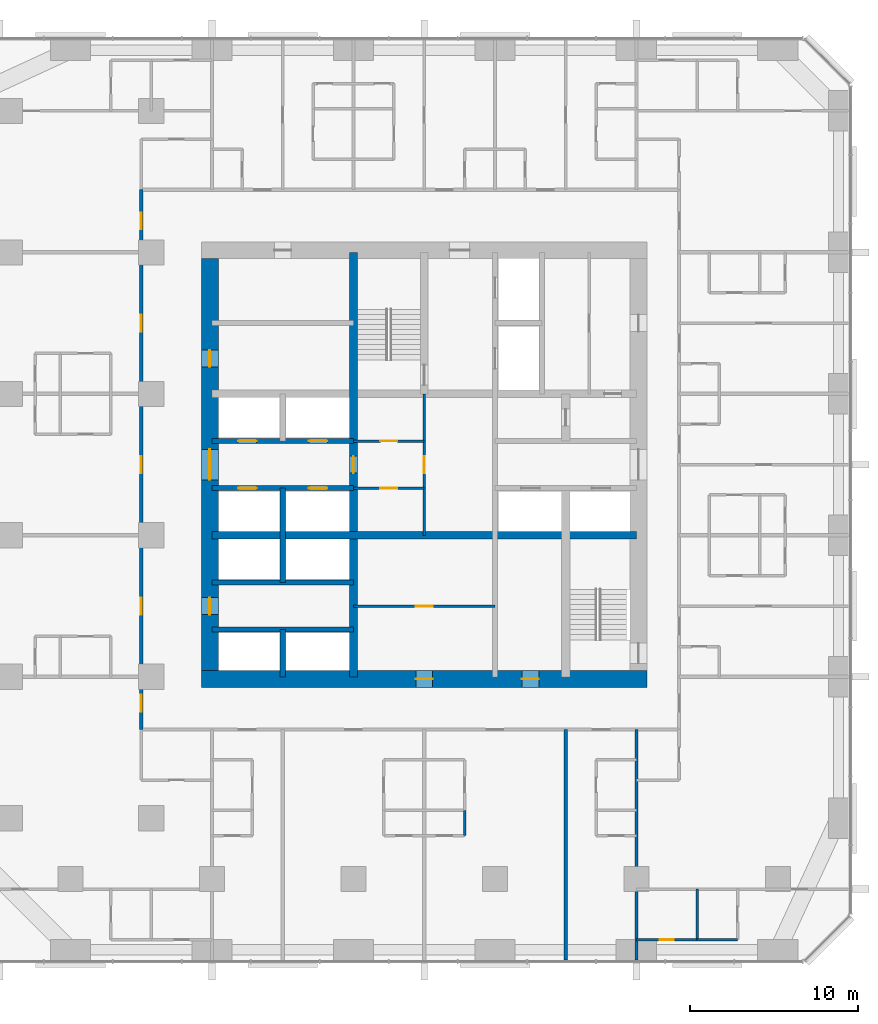
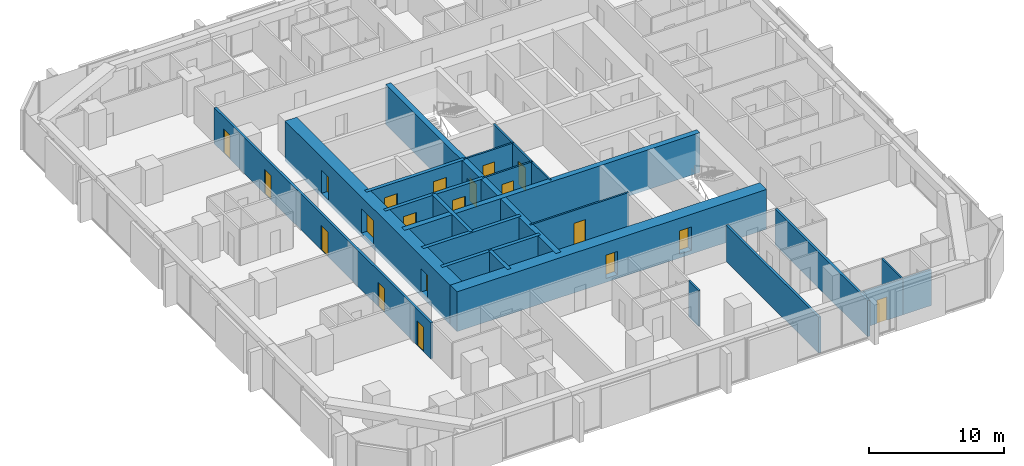
# One storey, part 9 of 14: 21 walls, 20 doors, 20 openings.
"""IFC4 building model written with IfcOpenShell, lengths in metres."""

from ifc_helpers import new_model, si_unit, direction, frame, frame_2d, origin, place, context, subcontext, project, spatial, rectangle, extrude, material, layer, layer_set, type_object, element, fill, save


model = new_model("IFC4")

# Units and contexts
model_context = context("Model", 3, precision=1e-05, world=origin(), true_north=direction((0.0, 1.0)))
body_context = subcontext(model_context, "Body", "Model", "MODEL_VIEW")
ifc_project = project(units=[si_unit("LENGTHUNIT", "METRE"), si_unit("AREAUNIT", "SQUARE_METRE"), si_unit("VOLUMEUNIT", "CUBIC_METRE"), si_unit("PLANEANGLEUNIT", "RADIAN"), si_unit("MASSUNIT", "GRAM", prefix="KILO")], contexts=[model_context])

# Site, building, storey
site_placement = place(None, origin())
site = spatial("IfcSite", under=ifc_project, at=site_placement, CompositionType="ELEMENT")
building_placement = place(site_placement, origin())
building = spatial("IfcBuilding", under=site, at=building_placement, Name="Dunama Terrace Hotel", CompositionType="ELEMENT")
storey_placement = place(building_placement, frame((0.0, 0.0, 126.0)))
storey = spatial("IfcBuildingStorey", under=building, at=storey_placement, Name="L32", CompositionType="ELEMENT", Elevation=126.0)

# Wall, opening, door
ifc_material_1 = material(Name="Gypsum board partition", Category="masonry")
ifc_layer_1 = layer(ifc_material_1, 0.14990234375)
ifc_layer_set_1 = layer_set([ifc_layer_1], Name="Bathroom partition 150")
wall_type_1 = type_object("IfcWallType", Name="Bathroom partition 150", PredefinedType="PARTITIONING", material=ifc_layer_set_1)
wall_1_placement = place(storey_placement, frame((42.0, 1.199951171875, 0.0), z_axis=(0.0, 0.0, 1.0), x_axis=(1.0, 0.0, 0.0)))
wall_1 = element("IfcWall", 1, at=wall_1_placement, inside=storey, type_object=wall_type_1, Name="Bathroom partition 150 L32", PredefinedType="PARTITIONING", context=body_context, shape_type="SweptSolid", body=[
    extrude(rectangle(XDim=3.60009765625, YDim=0.14990234375, at=frame_2d((1.800048828125, 0.0))), origin(), (0.0, 0.0, 1.0), 3.25),
])
opening_1_placement = place(wall_1_placement, frame((1.375, 0.0, 0.0)))
opening_1 = element("IfcOpeningElement", 2, at=opening_1_placement, cuts=wall_1, Name="Opening L31-33-070", PredefinedType="OPENING", context=body_context, shape_type="SweptSolid", body=[
    extrude(rectangle(XDim=0.85009765625, YDim=2.10009765625, at=frame_2d((0.425048828125, 1.050048828125))), frame((0.0, 0.0849609375, 0.0), z_axis=(0.0, -1.0, 0.0), x_axis=(1.0, 0.0, 0.0)), (0.0, 0.0, 1.0), 0.169921875),
])
ifc_material_2 = material(Name="Timber door with steel frame", Category="steel")
door_type_1 = type_object("IfcDoorType", Name="Bathroom door 850", OperationType="SINGLE_SWING_LEFT", PredefinedType="DOOR", material=ifc_material_2)
door_1_placement = place(opening_1_placement, origin())
door_1 = element("IfcDoor", 3, at=door_1_placement, inside=storey, type_object=door_type_1, Name="Door to en-suite bathroom L31-33-070, type D2", OperationType="SINGLE_SWING_LEFT", OverallHeight=2.10009765625, OverallWidth=0.85009765625, PredefinedType="DOOR", context=body_context, shape_type="SweptSolid", body=[
    extrude(rectangle(XDim=0.85009765625, YDim=2.10009765625, at=frame_2d((0.425048828125, 1.050048828125))), frame((0.0, 0.02490234375, 0.0), z_axis=(0.0, -1.0, 0.0), x_axis=(1.0, 0.0, 0.0)), (0.0, 0.0, 1.0), 0.050048828125),
])
fill(opening_1, door_1)

# Walls
ifc_material_3 = material(Name="Concrete C50/60", Category="concrete")
ifc_layer_2 = layer(ifc_material_3, 0.300048828125)
ifc_layer_set_2 = layer_set([ifc_layer_2], Name="Core inner wall 300")
wall_type_2 = type_object("IfcWallType", Name="Core inner wall 300", PredefinedType="SHEAR", material=ifc_layer_set_2)
wall_2_placement = place(storey_placement, frame((21.0, 16.800048828125, -0.35009765625), z_axis=(0.0, 0.0, 1.0), x_axis=(0.0, 1.0, 0.0)))
element("IfcWall", 4, at=wall_2_placement, inside=storey, type_object=wall_type_2, Name="Core inner wall 300 L32", PredefinedType="SHEAR", context=body_context, shape_type="SweptSolid", body=[
    extrude(rectangle(XDim=2.800048828125, YDim=0.300048828125, at=frame_2d((1.39990234375, 0.0))), origin(), (0.0, 0.0, 1.0), 3.60009765625),
])
wall_3_placement = place(storey_placement, frame((21.0, 22.39990234375, -0.35009765625), z_axis=(0.0, 0.0, 1.0), x_axis=(0.0, 1.0, 0.0)))
element("IfcWall", 5, at=wall_3_placement, inside=storey, type_object=wall_type_2, Name="Core inner wall 300 L32", PredefinedType="SHEAR", context=body_context, shape_type="SweptSolid", body=[
    extrude(rectangle(XDim=5.60009765625, YDim=0.300048828125, at=frame_2d((2.800048828125, 0.0))), origin(), (0.0, 0.0, 1.0), 3.60009765625),
])
for number, where, z_axis, x_axis, name in (
    (6, (16.800048828125, 19.60009765625, -0.35009765625), (0.0, 0.0, 1.0), (1.0, 0.0, 0.0), "Core inner wall 300 L32"),
    (7, (16.800048828125, 22.39990234375, -0.35009765625), (0.0, 0.0, 1.0), (1.0, 0.0, 0.0), "Core inner wall 300 L32"),
):
    element("IfcWall", number, at=place(storey_placement, frame(where, z_axis=z_axis, x_axis=x_axis)), inside=storey, type_object=wall_type_2, Name=name, PredefinedType="SHEAR", context=body_context, shape_type="SweptSolid", body=[
        extrude(rectangle(XDim=8.39990234375, YDim=0.300048828125, at=frame_2d((4.199951171875, 0.0))), origin(), (0.0, 0.0, 1.0), 3.60009765625),
    ])

# Wall, openings, doors
wall_4_placement = place(storey_placement, frame((16.800048828125, 28.0, -0.35009765625), z_axis=(0.0, 0.0, 1.0), x_axis=(1.0, 0.0, 0.0)))
wall_4 = element("IfcWall", 8, at=wall_4_placement, inside=storey, type_object=wall_type_2, Name="Core inner wall 300 L32", PredefinedType="SHEAR", context=body_context, shape_type="SweptSolid", body=[
    extrude(rectangle(XDim=8.39990234375, YDim=0.300048828125, at=frame_2d((4.199951171875, 0.0))), origin(), (0.0, 0.0, 1.0), 3.60009765625),
])
opening_2_placement = place(wall_4_placement, frame((1.550048828125, 0.0, 0.35009765625)))
opening_2 = element("IfcOpeningElement", 9, at=opening_2_placement, cuts=wall_4, Name="Opening L31-33-005", PredefinedType="OPENING", context=body_context, shape_type="SweptSolid", body=[
    extrude(rectangle(XDim=1.10009765625, YDim=2.199951171875, at=frame_2d((0.550048828125, 1.10009765625))), frame((0.0, 0.159912109375, 0.0), z_axis=(0.0, -1.0, 0.0), x_axis=(1.0, 0.0, 0.0)), (0.0, 0.0, 1.0), 0.320068359375),
])
opening_3_placement = place(wall_4_placement, frame((5.75, 0.0, 0.35009765625)))
opening_3 = element("IfcOpeningElement", 10, at=opening_3_placement, cuts=wall_4, Name="Opening L31-33-006", PredefinedType="OPENING", context=body_context, shape_type="SweptSolid", body=[
    extrude(rectangle(XDim=1.10009765625, YDim=2.199951171875, at=frame_2d((0.550048828125, 1.10009765625))), frame((0.0, 0.159912109375, 0.0), z_axis=(0.0, -1.0, 0.0), x_axis=(1.0, 0.0, 0.0)), (0.0, 0.0, 1.0), 0.320068359375),
])
ifc_material_4 = material(Name="Stainless steel lift door", Category="steel")
door_type_2 = type_object("IfcDoorType", Name="Lift landing door 1100", OperationType="DOUBLE_DOOR_SLIDING", PredefinedType="DOOR", material=ifc_material_4)
door_2_placement = place(opening_2_placement, origin())
door_2 = element("IfcDoor", 11, at=door_2_placement, inside=storey, type_object=door_type_2, Name="Landing door PC1 L31-33-005, type LD1", OperationType="DOUBLE_DOOR_SLIDING", OverallHeight=2.199951171875, OverallWidth=1.10009765625, PredefinedType="DOOR", context=body_context, shape_type="SweptSolid", body=[
    extrude(rectangle(XDim=1.10009765625, YDim=2.199951171875, at=frame_2d((0.550048828125, 1.10009765625))), frame((0.0, 0.02490234375, 0.0), z_axis=(0.0, -1.0, 0.0), x_axis=(1.0, 0.0, 0.0)), (0.0, 0.0, 1.0), 0.050048828125),
])
fill(opening_2, door_2)
door_3_placement = place(opening_3_placement, origin())
door_3 = element("IfcDoor", 12, at=door_3_placement, inside=storey, type_object=door_type_2, Name="Landing door PC2 L31-33-006, type LD1", OperationType="DOUBLE_DOOR_SLIDING", OverallHeight=2.199951171875, OverallWidth=1.10009765625, PredefinedType="DOOR", context=body_context, shape_type="SweptSolid", body=[
    extrude(rectangle(XDim=1.10009765625, YDim=2.199951171875, at=frame_2d((0.550048828125, 1.10009765625))), frame((0.0, 0.02490234375, 0.0), z_axis=(0.0, -1.0, 0.0), x_axis=(1.0, 0.0, 0.0)), (0.0, 0.0, 1.0), 0.050048828125),
])
fill(opening_3, door_3)

wall_5_placement = place(storey_placement, frame((16.800048828125, 30.800048828125, -0.35009765625), z_axis=(0.0, 0.0, 1.0), x_axis=(1.0, 0.0, 0.0)))
wall_5 = element("IfcWall", 13, at=wall_5_placement, inside=storey, type_object=wall_type_2, Name="Core inner wall 300 L32", PredefinedType="SHEAR", context=body_context, shape_type="SweptSolid", body=[
    extrude(rectangle(XDim=8.39990234375, YDim=0.300048828125, at=frame_2d((4.199951171875, 0.0))), origin(), (0.0, 0.0, 1.0), 3.60009765625),
])
opening_4_placement = place(wall_5_placement, frame((1.550048828125, 0.0, 0.35009765625)))
opening_4 = element("IfcOpeningElement", 14, at=opening_4_placement, cuts=wall_5, Name="Opening L31-33-007", PredefinedType="OPENING", context=body_context, shape_type="SweptSolid", body=[
    extrude(rectangle(XDim=1.10009765625, YDim=2.199951171875, at=frame_2d((0.550048828125, 1.10009765625))), frame((0.0, 0.159912109375, 0.0), z_axis=(0.0, -1.0, 0.0), x_axis=(1.0, 0.0, 0.0)), (0.0, 0.0, 1.0), 0.320068359375),
])
opening_5_placement = place(wall_5_placement, frame((5.75, 0.0, 0.35009765625)))
opening_5 = element("IfcOpeningElement", 15, at=opening_5_placement, cuts=wall_5, Name="Opening L31-33-008", PredefinedType="OPENING", context=body_context, shape_type="SweptSolid", body=[
    extrude(rectangle(XDim=1.10009765625, YDim=2.199951171875, at=frame_2d((0.550048828125, 1.10009765625))), frame((0.0, 0.159912109375, 0.0), z_axis=(0.0, -1.0, 0.0), x_axis=(1.0, 0.0, 0.0)), (0.0, 0.0, 1.0), 0.320068359375),
])
door_4_placement = place(opening_4_placement, origin())
door_4 = element("IfcDoor", 16, at=door_4_placement, inside=storey, type_object=door_type_2, Name="Landing door PC3 L31-33-007, type LD1", OperationType="DOUBLE_DOOR_SLIDING", OverallHeight=2.199951171875, OverallWidth=1.10009765625, PredefinedType="DOOR", context=body_context, shape_type="SweptSolid", body=[
    extrude(rectangle(XDim=1.10009765625, YDim=2.199951171875, at=frame_2d((0.550048828125, 1.10009765625))), frame((0.0, 0.02490234375, 0.0), z_axis=(0.0, -1.0, 0.0), x_axis=(1.0, 0.0, 0.0)), (0.0, 0.0, 1.0), 0.050048828125),
])
fill(opening_4, door_4)
door_5_placement = place(opening_5_placement, origin())
door_5 = element("IfcDoor", 17, at=door_5_placement, inside=storey, type_object=door_type_2, Name="Landing door PC4 L31-33-008, type LD1", OperationType="DOUBLE_DOOR_SLIDING", OverallHeight=2.199951171875, OverallWidth=1.10009765625, PredefinedType="DOOR", context=body_context, shape_type="SweptSolid", body=[
    extrude(rectangle(XDim=1.10009765625, YDim=2.199951171875, at=frame_2d((0.550048828125, 1.10009765625))), frame((0.0, 0.02490234375, 0.0), z_axis=(0.0, -1.0, 0.0), x_axis=(1.0, 0.0, 0.0)), (0.0, 0.0, 1.0), 0.050048828125),
])
fill(opening_5, door_5)

# Wall, opening, door
ifc_material_5 = material(Name="Concrete C50/60", Category="concrete")
ifc_layer_3 = layer(ifc_material_5, 0.449951171875)
ifc_layer_set_3 = layer_set([ifc_layer_3], Name="Core inner wall 450")
wall_type_3 = type_object("IfcWallType", Name="Core inner wall 450", PredefinedType="SHEAR", material=ifc_layer_set_3)
wall_6_placement = place(storey_placement, frame((25.199951171875, 16.800048828125, -0.35009765625), z_axis=(0.0, 0.0, 1.0), x_axis=(0.0, 1.0, 0.0)))
wall_6 = element("IfcWall", 18, at=wall_6_placement, inside=storey, type_object=wall_type_3, Name="Core inner wall 450 L32", PredefinedType="SHEAR", context=body_context, shape_type="SweptSolid", body=[
    extrude(rectangle(XDim=25.199951171875, YDim=0.449951171875, at=frame_2d((12.60009765625, 0.0))), origin(), (0.0, 0.0, 1.0), 3.60009765625),
])
opening_6_placement = place(wall_6_placement, frame((12.10009765625, 0.0, 0.35009765625)))
opening_6 = element("IfcOpeningElement", 19, at=opening_6_placement, cuts=wall_6, Name="Opening L31-33-086", PredefinedType="OPENING", context=body_context, shape_type="SweptSolid", body=[
    extrude(rectangle(XDim=1.0, YDim=2.10009765625, at=frame_2d((0.5, 1.050048828125))), frame((0.0, 0.23486328125, 0.0), z_axis=(0.0, -1.0, 0.0), x_axis=(1.0, 0.0, 0.0)), (0.0, 0.0, 1.0), 0.469970703125),
])
ifc_material_6 = material(Name="Timber door with steel frame", Category="steel")
door_type_3 = type_object("IfcDoorType", Name="Service door 1000", OperationType="SINGLE_SWING_LEFT", PredefinedType="DOOR", material=ifc_material_6)
door_6_placement = place(opening_6_placement, origin())
door_6 = element("IfcDoor", 20, at=door_6_placement, inside=storey, type_object=door_type_3, Name="Door to guest services passage L31-33-086, type D7", OperationType="SINGLE_SWING_LEFT", OverallHeight=2.10009765625, OverallWidth=1.0, PredefinedType="DOOR", context=body_context, shape_type="SweptSolid", body=[
    extrude(rectangle(XDim=1.0, YDim=2.10009765625, at=frame_2d((0.5, 1.050048828125))), frame((0.0, 0.02490234375, 0.0), z_axis=(0.0, -1.0, 0.0), x_axis=(1.0, 0.0, 0.0)), (0.0, 0.0, 1.0), 0.050048828125),
])
fill(opening_6, door_6)

# Wall
wall_7_placement = place(storey_placement, frame((16.800048828125, 25.199951171875, -0.35009765625), z_axis=(0.0, 0.0, 1.0), x_axis=(1.0, 0.0, 0.0)))
element("IfcWall", 21, at=wall_7_placement, inside=storey, type_object=wall_type_3, Name="Core inner wall 450 L32", PredefinedType="SHEAR", context=body_context, shape_type="SweptSolid", body=[
    extrude(rectangle(XDim=25.199951171875, YDim=0.449951171875, at=frame_2d((12.60009765625, 0.0))), origin(), (0.0, 0.0, 1.0), 3.60009765625),
])

# Wall, openings, doors
ifc_material_7 = material(Name="Concrete C60/75", Category="concrete")
ifc_layer_4 = layer(ifc_material_7, 1.0)
ifc_layer_set_4 = layer_set([ifc_layer_4], Name="Core wall 1000")
wall_type_4 = type_object("IfcWallType", Name="Core wall 1000", PredefinedType="SHEAR", material=ifc_layer_set_4)
wall_8_placement = place(storey_placement, frame((16.175048828125, 16.675048828125, -0.35009765625), z_axis=(0.0, 0.0, 1.0), x_axis=(1.0, 0.0, 0.0)))
wall_8 = element("IfcWall", 22, at=wall_8_placement, inside=storey, type_object=wall_type_4, Name="Core wall south L32", PredefinedType="SHEAR", context=body_context, shape_type="SweptSolid", body=[
    extrude(rectangle(XDim=26.449951171875, YDim=1.0, at=frame_2d((13.22509765625, 0.0))), origin(), (0.0, 0.0, 1.0), 3.60009765625),
])
opening_7_placement = place(wall_8_placement, frame((12.72509765625, 0.0, 0.35009765625)))
opening_7 = element("IfcOpeningElement", 23, at=opening_7_placement, cuts=wall_8, Name="Opening L31-33-096", PredefinedType="OPENING", context=body_context, shape_type="SweptSolid", body=[
    extrude(rectangle(XDim=1.0, YDim=2.10009765625, at=frame_2d((0.5, 1.050048828125))), frame((0.0, 0.510009765625, 0.0), z_axis=(0.0, -1.0, 0.0), x_axis=(1.0, 0.0, 0.0)), (0.0, 0.0, 1.0), 1.02001953125),
])
opening_8_placement = place(wall_8_placement, frame((19.02490234375, 0.0, 0.35009765625)))
opening_8 = element("IfcOpeningElement", 24, at=opening_8_placement, cuts=wall_8, Name="Opening L31-33-098", PredefinedType="OPENING", context=body_context, shape_type="SweptSolid", body=[
    extrude(rectangle(XDim=1.0, YDim=2.10009765625, at=frame_2d((0.5, 1.050048828125))), frame((0.0, 0.510009765625, 0.0), z_axis=(0.0, -1.0, 0.0), x_axis=(1.0, 0.0, 0.0)), (0.0, 0.0, 1.0), 1.02001953125),
])
door_7_placement = place(opening_7_placement, origin())
door_7 = element("IfcDoor", 25, at=door_7_placement, inside=storey, type_object=door_type_3, Name="Door to corridor air handling room L31-33-096, type D7", OperationType="SINGLE_SWING_LEFT", OverallHeight=2.10009765625, OverallWidth=1.0, PredefinedType="DOOR", context=body_context, shape_type="SweptSolid", body=[
    extrude(rectangle(XDim=1.0, YDim=2.10009765625, at=frame_2d((0.5, 1.050048828125))), frame((0.0, 0.02490234375, 0.0), z_axis=(0.0, -1.0, 0.0), x_axis=(1.0, 0.0, 0.0)), (0.0, 0.0, 1.0), 0.050048828125),
])
fill(opening_7, door_7)
door_8_placement = place(opening_8_placement, origin())
door_8 = element("IfcDoor", 26, at=door_8_placement, inside=storey, type_object=door_type_3, Name="Door to water riser room L31-33-098, type D7", OperationType="SINGLE_SWING_RIGHT", OverallHeight=2.10009765625, OverallWidth=1.0, PredefinedType="DOOR", context=body_context, shape_type="SweptSolid", body=[
    extrude(rectangle(XDim=1.0, YDim=2.10009765625, at=frame_2d((0.5, 1.050048828125))), frame((0.0, 0.02490234375, 0.0), z_axis=(0.0, -1.0, 0.0), x_axis=(1.0, 0.0, 0.0)), (0.0, 0.0, 1.0), 0.050048828125),
])
fill(opening_8, door_8)

wall_9_placement = place(storey_placement, frame((16.675048828125, 41.625, -0.35009765625), z_axis=(0.0, 0.0, 1.0), x_axis=(0.0, -1.0, 0.0)))
wall_9 = element("IfcWall", 27, at=wall_9_placement, inside=storey, type_object=wall_type_4, Name="Core wall west L32", PredefinedType="SHEAR", context=body_context, shape_type="SweptSolid", body=[
    extrude(rectangle(XDim=24.449951171875, YDim=1.0, at=frame_2d((12.22509765625, 0.0))), origin(), (0.0, 0.0, 1.0), 3.60009765625),
])
opening_9_placement = place(wall_9_placement, frame((11.324951171875, 0.0, 0.35009765625)))
opening_9 = element("IfcOpeningElement", 28, at=opening_9_placement, cuts=wall_9, Name="Opening L31-33-082", PredefinedType="OPENING", context=body_context, shape_type="SweptSolid", body=[
    extrude(rectangle(XDim=1.800048828125, YDim=2.199951171875, at=frame_2d((0.89990234375, 1.10009765625))), frame((0.0, 0.510009765625, 0.0), z_axis=(0.0, -1.0, 0.0), x_axis=(1.0, 0.0, 0.0)), (0.0, 0.0, 1.0), 1.02001953125),
])
opening_10_placement = place(wall_9_placement, frame((20.125, 0.0, 0.35009765625)))
opening_10 = element("IfcOpeningElement", 29, at=opening_10_placement, cuts=wall_9, Name="Opening L31-33-083", PredefinedType="OPENING", context=body_context, shape_type="SweptSolid", body=[
    extrude(rectangle(XDim=1.0, YDim=2.10009765625, at=frame_2d((0.5, 1.050048828125))), frame((0.0, 0.510009765625, 0.0), z_axis=(0.0, -1.0, 0.0), x_axis=(1.0, 0.0, 0.0)), (0.0, 0.0, 1.0), 1.02001953125),
])
opening_11_placement = place(wall_9_placement, frame((5.425048828125, 0.0, 0.35009765625)))
opening_11 = element("IfcOpeningElement", 30, at=opening_11_placement, cuts=wall_9, Name="Opening L31-33-084", PredefinedType="OPENING", context=body_context, shape_type="SweptSolid", body=[
    extrude(rectangle(XDim=1.0, YDim=2.10009765625, at=frame_2d((0.5, 1.050048828125))), frame((0.0, 0.510009765625, 0.0), z_axis=(0.0, -1.0, 0.0), x_axis=(1.0, 0.0, 0.0)), (0.0, 0.0, 1.0), 1.02001953125),
])
ifc_material_8 = material(Name="Timber door with steel frame", Category="steel")
door_type_4 = type_object("IfcDoorType", Name="Lift lobby double door 1800", OperationType="DOUBLE_DOOR_DOUBLE_SWING", PredefinedType="DOOR", material=ifc_material_8)
door_9_placement = place(opening_9_placement, origin())
door_9 = element("IfcDoor", 31, at=door_9_placement, inside=storey, type_object=door_type_4, Name="Door to lift lobby L31-33-082, type D3", OperationType="DOUBLE_DOOR_DOUBLE_SWING", OverallHeight=2.199951171875, OverallWidth=1.800048828125, PredefinedType="DOOR", context=body_context, shape_type="SweptSolid", body=[
    extrude(rectangle(XDim=1.800048828125, YDim=2.199951171875, at=frame_2d((0.89990234375, 1.10009765625))), frame((0.0, 0.02490234375, 0.0), z_axis=(0.0, -1.0, 0.0), x_axis=(1.0, 0.0, 0.0)), (0.0, 0.0, 1.0), 0.050048828125),
])
fill(opening_9, door_9)
door_10_placement = place(opening_10_placement, origin())
door_10 = element("IfcDoor", 32, at=door_10_placement, inside=storey, type_object=door_type_3, Name="Door to service lobby L31-33-083, type D7", OperationType="SINGLE_SWING_LEFT", OverallHeight=2.10009765625, OverallWidth=1.0, PredefinedType="DOOR", context=body_context, shape_type="SweptSolid", body=[
    extrude(rectangle(XDim=1.0, YDim=2.10009765625, at=frame_2d((0.5, 1.050048828125))), frame((0.0, 0.02490234375, 0.0), z_axis=(0.0, -1.0, 0.0), x_axis=(1.0, 0.0, 0.0)), (0.0, 0.0, 1.0), 0.050048828125),
])
fill(opening_10, door_10)
door_11_placement = place(opening_11_placement, origin())
door_11 = element("IfcDoor", 33, at=door_11_placement, inside=storey, type_object=door_type_3, Name="Door to electrical room L31-33-084, type D7", OperationType="SINGLE_SWING_RIGHT", OverallHeight=2.10009765625, OverallWidth=1.0, PredefinedType="DOOR", context=body_context, shape_type="SweptSolid", body=[
    extrude(rectangle(XDim=1.0, YDim=2.10009765625, at=frame_2d((0.5, 1.050048828125))), frame((0.0, 0.02490234375, 0.0), z_axis=(0.0, -1.0, 0.0), x_axis=(1.0, 0.0, 0.0)), (0.0, 0.0, 1.0), 0.050048828125),
])
fill(opening_11, door_11)

ifc_material_9 = material(Name="Concrete blockwork", Category="masonry")
ifc_layer_5 = layer(ifc_material_9, 0.199951171875)
ifc_layer_set_5 = layer_set([ifc_layer_5], Name="Corridor partition 200")
wall_type_5 = type_object("IfcWallType", Name="Corridor partition 200", PredefinedType="PARTITIONING", material=ifc_layer_set_5)
wall_10_placement = place(storey_placement, frame((12.60009765625, 13.675048828125, 0.0), z_axis=(0.0, 0.0, 1.0), x_axis=(0.0, 1.0, 0.0)))
wall_10 = element("IfcWall", 34, at=wall_10_placement, inside=storey, type_object=wall_type_5, Name="Corridor partition 200 L32", PredefinedType="PARTITIONING", context=body_context, shape_type="SweptSolid", body=[
    extrude(rectangle(XDim=32.050048828125, YDim=0.199951171875, at=frame_2d((16.02490234375, 0.0))), origin(), (0.0, 0.0, 1.0), 3.25),
])
opening_12_placement = place(wall_10_placement, frame((6.824951171875, 0.0, 0.0)))
opening_12 = element("IfcOpeningElement", 35, at=opening_12_placement, cuts=wall_10, Name="Opening L31-33-053", PredefinedType="OPENING", context=body_context, shape_type="SweptSolid", body=[
    extrude(rectangle(XDim=1.0, YDim=2.199951171875, at=frame_2d((0.5, 1.10009765625))), frame((0.0, 0.10986328125, 0.0), z_axis=(0.0, -1.0, 0.0), x_axis=(1.0, 0.0, 0.0)), (0.0, 0.0, 1.0), 0.219970703125),
])
opening_13_placement = place(wall_10_placement, frame((15.22509765625, 0.0, 0.0)))
opening_13 = element("IfcOpeningElement", 36, at=opening_13_placement, cuts=wall_10, Name="Opening L31-33-056", PredefinedType="OPENING", context=body_context, shape_type="SweptSolid", body=[
    extrude(rectangle(XDim=1.0, YDim=2.199951171875, at=frame_2d((0.5, 1.10009765625))), frame((0.0, 0.10986328125, 0.0), z_axis=(0.0, -1.0, 0.0), x_axis=(1.0, 0.0, 0.0)), (0.0, 0.0, 1.0), 0.219970703125),
])
opening_14_placement = place(wall_10_placement, frame((23.625, 0.0, 0.0)))
opening_14 = element("IfcOpeningElement", 37, at=opening_14_placement, cuts=wall_10, Name="Opening L31-33-059", PredefinedType="OPENING", context=body_context, shape_type="SweptSolid", body=[
    extrude(rectangle(XDim=1.0, YDim=2.199951171875, at=frame_2d((0.5, 1.10009765625))), frame((0.0, 0.10986328125, 0.0), z_axis=(0.0, -1.0, 0.0), x_axis=(1.0, 0.0, 0.0)), (0.0, 0.0, 1.0), 0.219970703125),
])
opening_15_placement = place(wall_10_placement, frame((1.06298828125, 0.0, 0.0)))
opening_15 = element("IfcOpeningElement", 38, at=opening_15_placement, cuts=wall_10, Name="Opening L31-33-062", PredefinedType="OPENING", context=body_context, shape_type="SweptSolid", body=[
    extrude(rectangle(XDim=1.0, YDim=2.199951171875, at=frame_2d((0.5, 1.10009765625))), frame((0.0, 0.10986328125, 0.0), z_axis=(0.0, -1.0, 0.0), x_axis=(1.0, 0.0, 0.0)), (0.0, 0.0, 1.0), 0.219970703125),
])
opening_16_placement = place(wall_10_placement, frame((29.68701171875, 0.0, 0.0)))
opening_16 = element("IfcOpeningElement", 39, at=opening_16_placement, cuts=wall_10, Name="Opening L31-33-077", PredefinedType="OPENING", context=body_context, shape_type="SweptSolid", body=[
    extrude(rectangle(XDim=1.0, YDim=2.199951171875, at=frame_2d((0.5, 1.10009765625))), frame((0.0, 0.10986328125, 0.0), z_axis=(0.0, -1.0, 0.0), x_axis=(1.0, 0.0, 0.0)), (0.0, 0.0, 1.0), 0.219970703125),
])
ifc_material_10 = material(Name="Timber door with steel frame", Category="steel")
door_type_5 = type_object("IfcDoorType", Name="Guest room door 1000", OperationType="SINGLE_SWING_LEFT", PredefinedType="DOOR", material=ifc_material_10)
door_12_placement = place(opening_12_placement, origin())
door_12 = element("IfcDoor", 40, at=door_12_placement, inside=storey, type_object=door_type_5, Name="Door to junior suite L31-33-053, type D1", OperationType="SINGLE_SWING_LEFT", OverallHeight=2.199951171875, OverallWidth=1.0, PredefinedType="DOOR", context=body_context, shape_type="SweptSolid", body=[
    extrude(rectangle(XDim=1.0, YDim=2.199951171875, at=frame_2d((0.5, 1.10009765625))), frame((0.0, 0.02490234375, 0.0), z_axis=(0.0, -1.0, 0.0), x_axis=(1.0, 0.0, 0.0)), (0.0, 0.0, 1.0), 0.050048828125),
])
fill(opening_12, door_12)
door_13_placement = place(opening_13_placement, origin())
door_13 = element("IfcDoor", 41, at=door_13_placement, inside=storey, type_object=door_type_5, Name="Door to junior suite L31-33-056, type D1", OperationType="SINGLE_SWING_RIGHT", OverallHeight=2.199951171875, OverallWidth=1.0, PredefinedType="DOOR", context=body_context, shape_type="SweptSolid", body=[
    extrude(rectangle(XDim=1.0, YDim=2.199951171875, at=frame_2d((0.5, 1.10009765625))), frame((0.0, 0.02490234375, 0.0), z_axis=(0.0, -1.0, 0.0), x_axis=(1.0, 0.0, 0.0)), (0.0, 0.0, 1.0), 0.050048828125),
])
fill(opening_13, door_13)
door_14_placement = place(opening_14_placement, origin())
door_14 = element("IfcDoor", 42, at=door_14_placement, inside=storey, type_object=door_type_5, Name="Door to junior suite L31-33-059, type D1", OperationType="SINGLE_SWING_LEFT", OverallHeight=2.199951171875, OverallWidth=1.0, PredefinedType="DOOR", context=body_context, shape_type="SweptSolid", body=[
    extrude(rectangle(XDim=1.0, YDim=2.199951171875, at=frame_2d((0.5, 1.10009765625))), frame((0.0, 0.02490234375, 0.0), z_axis=(0.0, -1.0, 0.0), x_axis=(1.0, 0.0, 0.0)), (0.0, 0.0, 1.0), 0.050048828125),
])
fill(opening_14, door_14)
door_15_placement = place(opening_15_placement, origin())
door_15 = element("IfcDoor", 43, at=door_15_placement, inside=storey, type_object=door_type_5, Name="Door to corner suite living room L31-33-062, type D1", OperationType="SINGLE_SWING_RIGHT", OverallHeight=2.199951171875, OverallWidth=1.0, PredefinedType="DOOR", context=body_context, shape_type="SweptSolid", body=[
    extrude(rectangle(XDim=1.0, YDim=2.199951171875, at=frame_2d((0.5, 1.10009765625))), frame((0.0, 0.02490234375, 0.0), z_axis=(0.0, -1.0, 0.0), x_axis=(1.0, 0.0, 0.0)), (0.0, 0.0, 1.0), 0.050048828125),
])
fill(opening_15, door_15)
door_16_placement = place(opening_16_placement, origin())
door_16 = element("IfcDoor", 44, at=door_16_placement, inside=storey, type_object=door_type_5, Name="Door to corner suite living room L31-33-077, type D1", OperationType="SINGLE_SWING_LEFT", OverallHeight=2.199951171875, OverallWidth=1.0, PredefinedType="DOOR", context=body_context, shape_type="SweptSolid", body=[
    extrude(rectangle(XDim=1.0, YDim=2.199951171875, at=frame_2d((0.5, 1.10009765625))), frame((0.0, 0.02490234375, 0.0), z_axis=(0.0, -1.0, 0.0), x_axis=(1.0, 0.0, 0.0)), (0.0, 0.0, 1.0), 0.050048828125),
])
fill(opening_16, door_16)

# Walls
ifc_material_11 = material(Name="Concrete blockwork", Category="masonry")
ifc_layer_6 = layer(ifc_material_11, 0.199951171875)
ifc_layer_set_6 = layer_set([ifc_layer_6], Name="Party wall 200")
wall_type_6 = type_object("IfcWallType", Name="Party wall 200", PredefinedType="PARTITIONING", material=ifc_layer_set_6)
for number, where, z_axis, x_axis, name in (
    (45, (37.800048828125, -0.01806640625, 0.0), (0.0, 0.0, 1.0), (0.0, 1.0, 0.0), "Party wall 200 L32"),
    (46, (42.0, -0.01806640625, 0.0), (0.0, 0.0, 1.0), (0.0, 1.0, 0.0), "Party wall 200 L32"),
):
    element("IfcWall", number, at=place(storey_placement, frame(where, z_axis=z_axis, x_axis=x_axis)), inside=storey, type_object=wall_type_6, Name=name, PredefinedType="PARTITIONING", context=body_context, shape_type="SweptSolid", body=[
        extrude(rectangle(XDim=13.693115234375, YDim=0.199951171875, at=frame_2d((6.8466796875, 0.0))), origin(), (0.0, 0.0, 1.0), 3.25),
    ])

# Wall, opening, door
ifc_material_12 = material(Name="Gypsum board partition", Category="masonry")
ifc_layer_7 = layer(ifc_material_12, 0.14990234375)
ifc_layer_set_7 = layer_set([ifc_layer_7], Name="Room partition 150")
wall_type_7 = type_object("IfcWallType", Name="Room partition 150", PredefinedType="PARTITIONING", material=ifc_layer_set_7)
wall_11_placement = place(storey_placement, frame((29.39990234375, 25.199951171875, 0.0), z_axis=(0.0, 0.0, 1.0), x_axis=(0.0, 1.0, 0.0)))
wall_11 = element("IfcWall", 47, at=wall_11_placement, inside=storey, type_object=wall_type_7, Name="Room partition 150 L32", PredefinedType="PARTITIONING", context=body_context, shape_type="SweptSolid", body=[
    extrude(rectangle(XDim=8.400146484375, YDim=0.14990234375, at=frame_2d((4.2001953125, 0.0))), origin(), (0.0, 0.0, 1.0), 3.25),
])
opening_17_placement = place(wall_11_placement, frame((3.699951171875, 0.0, 0.0)))
opening_17 = element("IfcOpeningElement", 48, at=opening_17_placement, cuts=wall_11, Name="Opening L31-33-089", PredefinedType="OPENING", context=body_context, shape_type="SweptSolid", body=[
    extrude(rectangle(XDim=1.0, YDim=2.10009765625, at=frame_2d((0.5, 1.050048828125))), frame((0.0, 0.0849609375, 0.0), z_axis=(0.0, -1.0, 0.0), x_axis=(1.0, 0.0, 0.0)), (0.0, 0.0, 1.0), 0.169921875),
])
door_17_placement = place(opening_17_placement, frame((1.0, 0.0, 0.0), z_axis=(0.0, 0.0, 1.0), x_axis=(-1.0, 0.0, 0.0)))
door_17 = element("IfcDoor", 49, at=door_17_placement, inside=storey, type_object=door_type_3, Name="Door to guest laundry room L31-33-089, type D7", OperationType="SINGLE_SWING_RIGHT", OverallHeight=2.10009765625, OverallWidth=1.0, PredefinedType="DOOR", context=body_context, shape_type="SweptSolid", body=[
    extrude(rectangle(XDim=1.0, YDim=2.10009765625, at=frame_2d((0.5, 1.050048828125))), frame((0.0, 0.025146484375, 0.0), z_axis=(0.0, -1.0, 0.0), x_axis=(1.0, 0.0, 0.0)), (0.0, 0.0, 1.0), 0.050048828125),
])
fill(opening_17, door_17)

# Walls
wall_12_placement = place(storey_placement, frame((31.800048828125, 7.375, 0.0), z_axis=(0.0, 0.0, 1.0), x_axis=(0.0, 1.0, 0.0)))
element("IfcWall", 50, at=wall_12_placement, inside=storey, type_object=wall_type_7, Name="Room partition 150 L32", PredefinedType="PARTITIONING", context=body_context, shape_type="SweptSolid", body=[
    extrude(rectangle(XDim=1.5, YDim=0.14990234375, at=frame_2d((0.75, 0.0))), origin(), (0.0, 0.0, 1.0), 3.25),
])
wall_13_placement = place(storey_placement, frame((45.60009765625, 1.199951171875, 0.0), z_axis=(0.0, 0.0, 1.0), x_axis=(0.0, 1.0, 0.0)))
element("IfcWall", 51, at=wall_13_placement, inside=storey, type_object=wall_type_7, Name="Room partition 150 L32", PredefinedType="PARTITIONING", context=body_context, shape_type="SweptSolid", body=[
    extrude(rectangle(XDim=3.0, YDim=0.14990234375, at=frame_2d((1.5, 0.0))), origin(), (0.0, 0.0, 1.0), 3.25),
])
wall_14_placement = place(storey_placement, frame((45.60009765625, 1.199951171875, 0.0), z_axis=(0.0, 0.0, 1.0), x_axis=(1.0, 0.0, 0.0)))
element("IfcWall", 52, at=wall_14_placement, inside=storey, type_object=wall_type_7, Name="Room partition 150 L32", PredefinedType="PARTITIONING", context=body_context, shape_type="SweptSolid", body=[
    extrude(rectangle(XDim=2.39990234375, YDim=0.14990234375, at=frame_2d((1.199951171875, 0.0))), origin(), (0.0, 0.0, 1.0), 3.25),
])

# Wall, opening, door
wall_15_placement = place(storey_placement, frame((25.199951171875, 21.0, 0.0), z_axis=(0.0, 0.0, 1.0), x_axis=(1.0, 0.0, 0.0)))
wall_15 = element("IfcWall", 53, at=wall_15_placement, inside=storey, type_object=wall_type_7, Name="Room partition 150 L32", PredefinedType="PARTITIONING", context=body_context, shape_type="SweptSolid", body=[
    extrude(rectangle(XDim=8.400146484375, YDim=0.14990234375, at=frame_2d((4.2001953125, 0.0))), origin(), (0.0, 0.0, 1.0), 3.25),
])
opening_18_placement = place(wall_15_placement, frame((3.699951171875, 0.0, 0.0)))
opening_18 = element("IfcOpeningElement", 54, at=opening_18_placement, cuts=wall_15, Name="Opening L31-33-097", PredefinedType="OPENING", context=body_context, shape_type="SweptSolid", body=[
    extrude(rectangle(XDim=1.0, YDim=2.10009765625, at=frame_2d((0.5, 1.050048828125))), frame((0.0, 0.0849609375, 0.0), z_axis=(0.0, -1.0, 0.0), x_axis=(1.0, 0.0, 0.0)), (0.0, 0.0, 1.0), 0.169921875),
])
door_18_placement = place(opening_18_placement, origin())
door_18 = element("IfcDoor", 55, at=door_18_placement, inside=storey, type_object=door_type_3, Name="Door to stair pressurisation fan room L31-33-097, type D7", OperationType="SINGLE_SWING_LEFT", OverallHeight=2.10009765625, OverallWidth=1.0, PredefinedType="DOOR", context=body_context, shape_type="SweptSolid", body=[
    extrude(rectangle(XDim=1.0, YDim=2.10009765625, at=frame_2d((0.5, 1.050048828125))), frame((0.0, 0.02490234375, 0.0), z_axis=(0.0, -1.0, 0.0), x_axis=(1.0, 0.0, 0.0)), (0.0, 0.0, 1.0), 0.050048828125),
])
fill(opening_18, door_18)

wall_16_placement = place(storey_placement, frame((25.199951171875, 28.0, 0.0), z_axis=(0.0, 0.0, 1.0), x_axis=(1.0, 0.0, 0.0)))
wall_16 = element("IfcWall", 56, at=wall_16_placement, inside=storey, type_object=wall_type_7, Name="Room partition 150 L32", PredefinedType="PARTITIONING", context=body_context, shape_type="SweptSolid", body=[
    extrude(rectangle(XDim=4.199951171875, YDim=0.14990234375, at=frame_2d((2.10009765625, 0.0))), origin(), (0.0, 0.0, 1.0), 3.25),
])
opening_19_placement = place(wall_16_placement, frame((1.60009765625, 0.0, 0.0)))
opening_19 = element("IfcOpeningElement", 57, at=opening_19_placement, cuts=wall_16, Name="Opening L31-33-087", PredefinedType="OPENING", context=body_context, shape_type="SweptSolid", body=[
    extrude(rectangle(XDim=1.0, YDim=2.10009765625, at=frame_2d((0.5, 1.050048828125))), frame((0.0, 0.0849609375, 0.0), z_axis=(0.0, -1.0, 0.0), x_axis=(1.0, 0.0, 0.0)), (0.0, 0.0, 1.0), 0.169921875),
])
door_19_placement = place(opening_19_placement, frame((1.0, 0.0, 0.0), z_axis=(0.0, 0.0, 1.0), x_axis=(-1.0, 0.0, 0.0)))
door_19 = element("IfcDoor", 58, at=door_19_placement, inside=storey, type_object=door_type_3, Name="Door to ice and vending room L31-33-087, type D7", OperationType="SINGLE_SWING_RIGHT", OverallHeight=2.10009765625, OverallWidth=1.0, PredefinedType="DOOR", context=body_context, shape_type="SweptSolid", body=[
    extrude(rectangle(XDim=1.0, YDim=2.10009765625, at=frame_2d((0.5, 1.050048828125))), frame((0.0, 0.025146484375, 0.0), z_axis=(0.0, -1.0, 0.0), x_axis=(1.0, 0.0, 0.0)), (0.0, 0.0, 1.0), 0.050048828125),
])
fill(opening_19, door_19)

wall_17_placement = place(storey_placement, frame((25.199951171875, 30.800048828125, 0.0), z_axis=(0.0, 0.0, 1.0), x_axis=(1.0, 0.0, 0.0)))
wall_17 = element("IfcWall", 59, at=wall_17_placement, inside=storey, type_object=wall_type_7, Name="Room partition 150 L32", PredefinedType="PARTITIONING", context=body_context, shape_type="SweptSolid", body=[
    extrude(rectangle(XDim=4.199951171875, YDim=0.14990234375, at=frame_2d((2.10009765625, 0.0))), origin(), (0.0, 0.0, 1.0), 3.25),
])
opening_20_placement = place(wall_17_placement, frame((1.60009765625, 0.0, 0.0)))
opening_20 = element("IfcOpeningElement", 60, at=opening_20_placement, cuts=wall_17, Name="Opening L31-33-088", PredefinedType="OPENING", context=body_context, shape_type="SweptSolid", body=[
    extrude(rectangle(XDim=1.0, YDim=2.10009765625, at=frame_2d((0.5, 1.050048828125))), frame((0.0, 0.0849609375, 0.0), z_axis=(0.0, -1.0, 0.0), x_axis=(1.0, 0.0, 0.0)), (0.0, 0.0, 1.0), 0.169921875),
])
door_20_placement = place(opening_20_placement, origin())
door_20 = element("IfcDoor", 61, at=door_20_placement, inside=storey, type_object=door_type_3, Name="Door to guest pantry L31-33-088, type D7", OperationType="SINGLE_SWING_LEFT", OverallHeight=2.10009765625, OverallWidth=1.0, PredefinedType="DOOR", context=body_context, shape_type="SweptSolid", body=[
    extrude(rectangle(XDim=1.0, YDim=2.10009765625, at=frame_2d((0.5, 1.050048828125))), frame((0.0, 0.02490234375, 0.0), z_axis=(0.0, -1.0, 0.0), x_axis=(1.0, 0.0, 0.0)), (0.0, 0.0, 1.0), 0.050048828125),
])
fill(opening_20, door_20)

save(model, "model.ifc")
